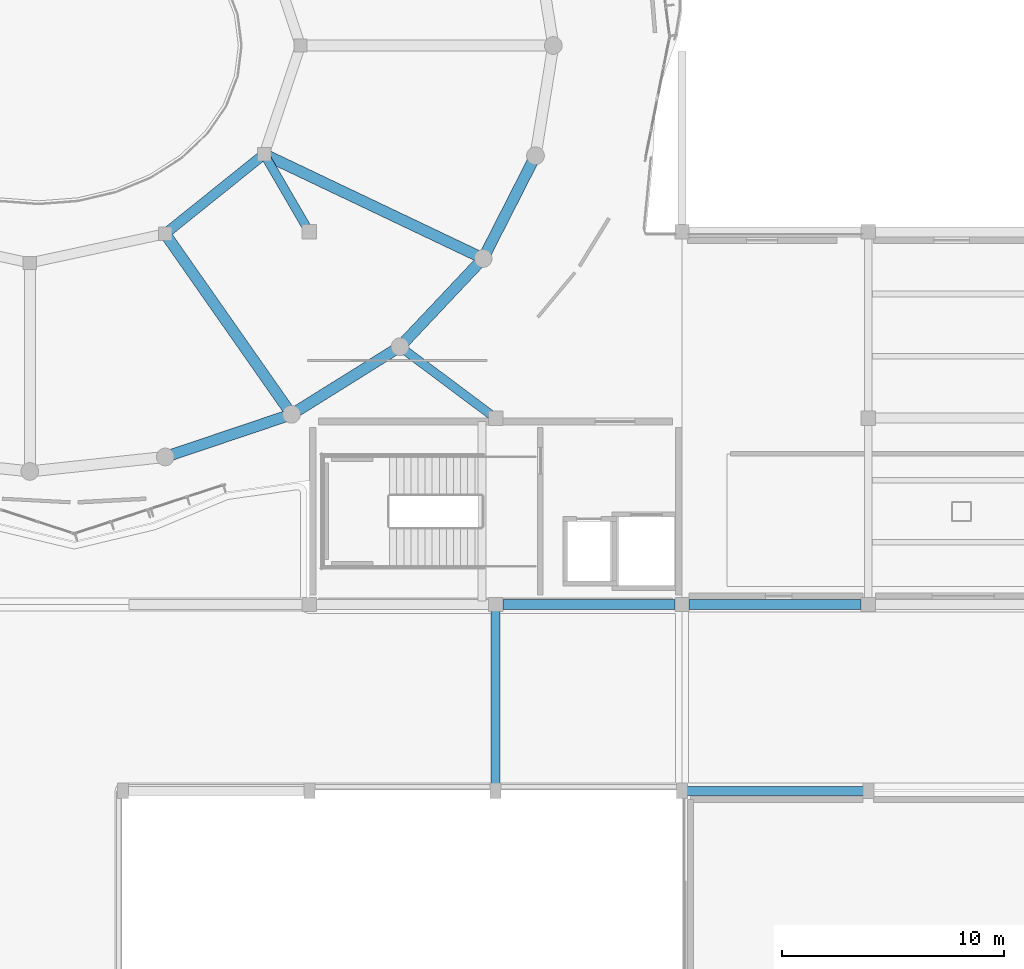
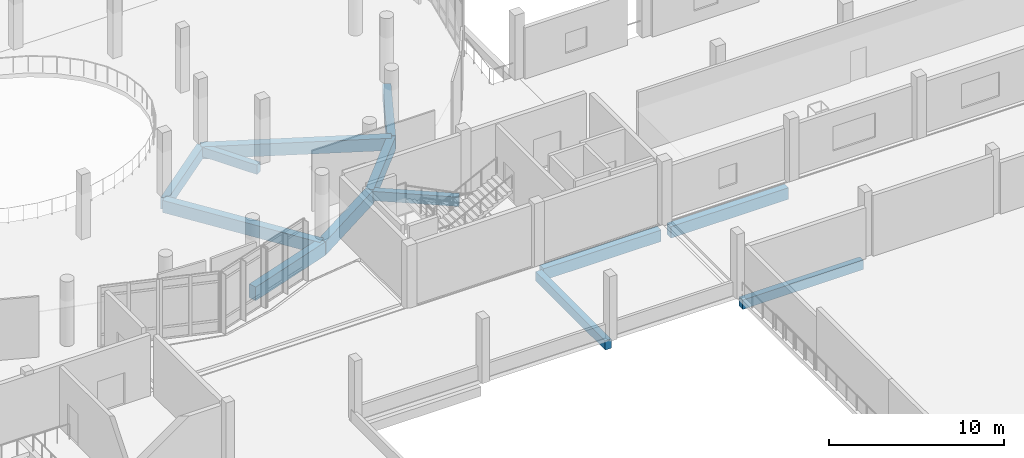
# One storey, part 7 of 46: 13 beams.
"""IFC4 building model written with IfcOpenShell, lengths in metres."""

import ifcopenshell
import ifcopenshell.guid

model = None  # the IFC model being written
_history = None  # IfcOwnerHistory: only IFC2X3 demands one
_inside = {}  # id of a spatial element -> (the spatial element, [elements in it])
_under = {}  # id of a project, library or spatial element -> (it, [spatial elements below it])
_declared = {}  # id of a project -> (the project, [libraries it declares])
_typed = {}  # id of a type object -> (the type object, [elements of that type])
_made_of = {}  # id of a material, layer set ... -> (it, [elements and type objects made of it])


def new_model(schema):
    """Start an empty IFC model of exactly this schema.

    Asked for "IFC4X3", IfcOpenShell would pick the latest addendum, in which some entities
    have other attributes; the version numbers below select the first issue.
    IFC2X3 requires an IfcOwnerHistory on every rooted entity: one is made here for all.
    """
    global model, _history
    if schema == "IFC4X3":
        model = ifcopenshell.file(schema_version=(4, 3, 0, 0))
    else:
        model = ifcopenshell.file(schema=schema)
    _inside.clear()
    _under.clear()
    _declared.clear()
    _typed.clear()
    _made_of.clear()
    _history = None
    if model.schema == "IFC2X3":
        org = make("IfcOrganization", Name="unknown")
        user = make(
            "IfcPersonAndOrganization",
            ThePerson=make("IfcPerson", FamilyName="unknown"),
            TheOrganization=org,
        )
        app = make(
            "IfcApplication",
            ApplicationDeveloper=org,
            Version="unknown",
            ApplicationFullName="unknown",
            ApplicationIdentifier="unknown",
        )
        _history = make(
            "IfcOwnerHistory",
            OwningUser=user,
            OwningApplication=app,
            ChangeAction="ADDED",
            CreationDate=0,
        )
    return model


def make(cls, **values):
    """One entity of the class cls with the attributes given. An attribute that is None is left unset."""
    return model.create_entity(
        cls, **{name: value for name, value in values.items() if value is not None}
    )


def rooted(cls, **values):
    """An entity with a GlobalId (a new one), such as an element, a storey or a relation."""
    return make(cls, GlobalId=ifcopenshell.guid.new(), OwnerHistory=_history, **values)


def si_unit(unit_type, name, prefix=None):
    """IfcSIUnit, for example si_unit("LENGTHUNIT", "METRE", prefix="MILLI")."""
    return make("IfcSIUnit", UnitType=unit_type, Prefix=prefix, Name=name)


def derived_unit(unit_type, elements):
    """IfcDerivedUnit: a product of units, each with its exponent."""
    return make(
        "IfcDerivedUnit",
        Elements=[
            make("IfcDerivedUnitElement", Unit=unit, Exponent=power)
            for unit, power in elements
        ],
        UnitType=unit_type,
    )


def assignment(units):
    """IfcUnitAssignment: the units of a project."""
    return None if units is None else make("IfcUnitAssignment", Units=units)


def point(xyz):
    """IfcCartesianPoint."""
    return None if xyz is None else make("IfcCartesianPoint", Coordinates=xyz)


def direction(xyz):
    """IfcDirection."""
    return None if xyz is None else make("IfcDirection", DirectionRatios=xyz)


def frame(location, z_axis=None, x_axis=None):
    """IfcAxis2Placement3D, a coordinate frame: its origin and axes. An axis left out is left unset."""
    return make(
        "IfcAxis2Placement3D",
        Location=point(location),
        Axis=direction(z_axis),
        RefDirection=direction(x_axis),
    )


def frame_2d(location, x_axis=None):
    """IfcAxis2Placement2D, a coordinate frame in the plane: its origin and x axis."""
    return make(
        "IfcAxis2Placement2D", Location=point(location), RefDirection=direction(x_axis)
    )


def origin():
    """The frame at (0, 0, 0) with its axes left unset."""
    return frame((0.0, 0.0, 0.0))


def origin_2d():
    """The frame at (0, 0) in the plane with its x axis left unset."""
    return frame_2d((0.0, 0.0))


def place(relative_to, where):
    """IfcLocalPlacement: puts the frame where relative to a parent placement (None: the world)."""
    return make(
        "IfcLocalPlacement", PlacementRelTo=relative_to, RelativePlacement=where
    )


def context(
    kind, dimensions, precision=None, world=None, true_north=None, identifier=None
):
    """IfcGeometricRepresentationContext, for example the 3D "Model" context."""
    return make(
        "IfcGeometricRepresentationContext",
        ContextIdentifier=identifier,
        ContextType=kind,
        CoordinateSpaceDimension=dimensions,
        Precision=precision,
        WorldCoordinateSystem=world,
        TrueNorth=true_north,
    )


def subcontext(parent, identifier, kind, view, scale=None):
    """IfcGeometricRepresentationSubContext, for example "Body" below "Model"."""
    return make(
        "IfcGeometricRepresentationSubContext",
        ContextIdentifier=identifier,
        ContextType=kind,
        ParentContext=parent,
        TargetScale=scale,
        TargetView=view,
    )


def project(units=None, contexts=None):
    """IfcProject with its units and contexts."""
    return rooted(
        "IfcProject",
        Name="project",
        RepresentationContexts=contexts,
        UnitsInContext=assignment(units),
    )


def spatial(cls, under=None, at=None, **own):
    """A site, building, storey or space (cls), placed at a placement, below another one or the project."""
    s = rooted(cls, ObjectPlacement=at, **own)
    if under is not None:
        _under.setdefault(under.id(), (under, []))[1].append(s)
    return s


def profile(cls, at=None, kind="AREA", **sizes):
    """A parametric profile (cls). Its sizes go by their IFC names, for example OverallWidth=200.0."""
    return make(cls, ProfileType=kind, Position=at, **sizes)


def rectangle(**sizes):
    """IfcRectangleProfileDef."""
    return profile("IfcRectangleProfileDef", **sizes)


def extrude(swept, where, along, depth):
    """IfcExtrudedAreaSolid: the profile swept, set in the frame where, extruded along a direction by depth."""
    return make(
        "IfcExtrudedAreaSolid",
        SweptArea=swept,
        Position=where,
        ExtrudedDirection=direction(along),
        Depth=depth,
    )


def shape(context_of_items, identifier, shape_type, items):
    """IfcShapeRepresentation: the items that make up one representation, for example the "Body"."""
    return make(
        "IfcShapeRepresentation",
        ContextOfItems=context_of_items,
        RepresentationIdentifier=identifier,
        RepresentationType=shape_type,
        Items=items,
    )


def material(Name=None, Category=None):
    """IfcMaterial."""
    return make("IfcMaterial", Name=Name, Category=Category)


def material_profile(
    of_material, cross_section, Name=None, Category=None, Priority=None
):
    """IfcMaterialProfile: a cross section and its material."""
    return make(
        "IfcMaterialProfile",
        Name=Name,
        Material=of_material,
        Profile=cross_section,
        Priority=Priority,
        Category=Category,
    )


def profile_set(profiles, Name=None, composite=None):
    """IfcMaterialProfileSet."""
    return make(
        "IfcMaterialProfileSet",
        Name=Name,
        MaterialProfiles=profiles,
        CompositeProfile=composite,
    )


def made_of(thing, what):
    """Note that an element or type object is made of a material, layer set ...; save() writes the relation."""
    if what is not None:
        _made_of.setdefault(what.id(), (what, []))[1].append(thing)
    return thing


def type_object(cls, material=None, **own):
    """A type object (cls), such as IfcWallType, which elements share."""
    return made_of(rooted(cls, **own), material)


def element(
    cls,
    number,
    at=None,
    inside=None,
    cuts=None,
    type_object=None,
    material=None,
    context=None,
    identifier="Body",
    shape_type=None,
    held_by="IfcProductDefinitionShape",
    body=None,
    shapes=None,
    **own,
):
    """One element of the class cls, such as IfcWall. Its Tag is "e" and its number.

    at: its placement. inside: the storey or other place that contains it. cuts: it is an
    opening in that element (IfcRelVoidsElement). A single representation is given by context,
    identifier, shape_type and body (its items); several are given by shapes. held_by: the class
    of the entity that holds the representations. save() writes the other relations.
    """
    e = rooted(cls, Tag="e%d" % number, ObjectPlacement=at, **own)
    if body is not None:
        shapes = [shape(context, identifier, shape_type, body)]
    if shapes is not None:
        e.Representation = make(held_by, Representations=shapes)
    if inside is not None:
        _inside.setdefault(inside.id(), (inside, []))[1].append(e)
    if cuts is not None:
        rooted(
            "IfcRelVoidsElement", RelatingBuildingElement=cuts, RelatedOpeningElement=e
        )
    if type_object is not None:
        _typed.setdefault(type_object.id(), (type_object, []))[1].append(e)
    return made_of(e, material)


def aggregate(whole, parts):
    """IfcRelAggregates: a whole, such as a stair, and the parts it consists of."""
    return rooted("IfcRelAggregates", RelatingObject=whole, RelatedObjects=parts)


def save(model, path):
    """Write the relations noted so far, then the file.

    IfcRelAggregates (storeys below a building ...), IfcRelContainedInSpatialStructure (elements
    in a storey), IfcRelDefinesByType, IfcRelAssociatesMaterial and IfcRelDeclares: one each for
    every whole, place, type object, material and project.
    """
    for whole, parts in _under.values():
        aggregate(whole, parts)
    for where, things in _inside.values():
        rooted(
            "IfcRelContainedInSpatialStructure",
            RelatedElements=things,
            RelatingStructure=where,
        )
    for kind, things in _typed.values():
        rooted("IfcRelDefinesByType", RelatedObjects=things, RelatingType=kind)
    for what, things in _made_of.values():
        rooted("IfcRelAssociatesMaterial", RelatedObjects=things, RelatingMaterial=what)
    for by, libraries in _declared.values():
        rooted("IfcRelDeclares", RelatingContext=by, RelatedDefinitions=libraries)
    model.write(path)


model = new_model("IFC4")

# Units and contexts
model_context = context("Model", 3, precision=1e-05, world=origin(), true_north=direction((0.0, 1.0)))
body_context = subcontext(model_context, "Body", "Model", "MODEL_VIEW")
ifc_project = project(units=[si_unit("LENGTHUNIT", "METRE"), si_unit("AREAUNIT", "SQUARE_METRE"), si_unit("VOLUMEUNIT", "CUBIC_METRE"), si_unit("PLANEANGLEUNIT", "RADIAN"), si_unit("MASSUNIT", "GRAM", prefix="KILO"), derived_unit("THERMALTRANSMITTANCEUNIT", [(si_unit("POWERUNIT", "WATT"), 1), (si_unit("LENGTHUNIT", "METRE"), -2), (si_unit("THERMODYNAMICTEMPERATUREUNIT", "KELVIN"), -1)])], contexts=[model_context])

# Site, building, storey
site_placement = place(None, origin())
site = spatial("IfcSite", under=ifc_project, at=site_placement, CompositionType="ELEMENT")
building_placement = place(site_placement, origin())
building = spatial("IfcBuilding", under=site, at=building_placement, Name="Elbkamm Science Centre", CompositionType="ELEMENT")
storey_placement = place(building_placement, frame((0.0, 0.0, 9.89990234375)))
storey = spatial("IfcBuildingStorey", under=building, at=storey_placement, Name="L02", CompositionType="ELEMENT", Elevation=9.89990234375)

# Beams
ifc_material = material(Name="Concrete C40/50", Category="concrete")
ifc_material_profile_1 = material_profile(ifc_material, rectangle(XDim=0.39990234375, YDim=0.64990234375, at=origin_2d()), Name="RC 400x650")
ifc_profile_set_1 = profile_set([ifc_material_profile_1], Name="Concrete C40/50")
beam_type_1 = type_object("IfcBeamType", Name="BM-RC-400x650", PredefinedType="BEAM", material=ifc_profile_set_1)
for number, where, z_axis, x_axis, name in (
    (1, (84.0, 33.820068359375, -0.625), (0.0, 1.0, 0.0), (-1.0, 0.0, 0.0), "L02 Perimeter Ring Tie Girder 036"),
    (2, (92.6201171875, 33.60009765625, -0.625), (1.0, 0.0, 0.0), (0.0, 1.0, 0.0), "L02 Perimeter Ring Tie Girder 038"),
):
    element("IfcBeam", number, at=place(storey_placement, frame(where, z_axis=z_axis, x_axis=x_axis)), inside=storey, type_object=beam_type_1, Name=name, PredefinedType="BEAM", context=body_context, shape_type="SweptSolid", body=[
        extrude(rectangle(XDim=0.39990234375, YDim=0.64990234375, at=origin_2d()), origin(), (0.0, 0.0, 1.0), 7.9599609375),
    ])
beam_1_placement = place(storey_placement, frame((75.489501953125, 58.990234375, -0.625), z_axis=(-0.502465212806, 0.864597426506, 0.0), x_axis=(-0.864597426506, -0.502465212806, 0.0)))
element("IfcBeam", 3, at=beam_1_placement, inside=storey, type_object=beam_type_1, Name="L02 Perimeter Ring Tie Girder 045", PredefinedType="BEAM", context=body_context, shape_type="SweptSolid", body=[
    extrude(rectangle(XDim=0.39990234375, YDim=0.64990234375, at=origin_2d()), origin(), (0.0, 0.0, 1.0), 3.608154296875),
])
beam_2_placement = place(storey_placement, frame((83.82373046875, 50.53173828125, -0.625), z_axis=(-0.80088801, 0.59881415768, 0.0), x_axis=(-0.59881415768, -0.80088801, 0.0)))
element("IfcBeam", 4, at=beam_2_placement, inside=storey, type_object=beam_type_1, Name="L02 Perimeter Ring Tie Girder 047", PredefinedType="BEAM", context=body_context, shape_type="SweptSolid", body=[
    extrude(rectangle(XDim=0.39990234375, YDim=0.64990234375, at=origin_2d()), origin(), (0.0, 0.0, 1.0), 4.94384765625),
])
ifc_material_profile_2 = material_profile(ifc_material, rectangle(XDim=0.449951171875, YDim=0.800048828125, at=origin_2d()), Name="RC 450x800")
ifc_profile_set_2 = profile_set([ifc_material_profile_2], Name="Concrete C40/50")
beam_type_2 = type_object("IfcBeamType", Name="BM-RC-450x800", PredefinedType="BEAM", material=ifc_profile_set_2)
for number, where, z_axis, x_axis, name in (
    (5, (84.324951171875, 42.0, -0.699951171875), (1.0, 0.0, 0.0), (0.0, 1.0, 0.0), "L02 Primary X-Girder 012"),
    (6, (92.72509765625, 42.0, -0.699951171875), (1.0, 0.0, 0.0), (0.0, 1.0, 0.0), "L02 Primary X-Girder 013"),
):
    element("IfcBeam", number, at=place(storey_placement, frame(where, z_axis=z_axis, x_axis=x_axis)), inside=storey, type_object=beam_type_2, Name=name, PredefinedType="BEAM", context=body_context, shape_type="SweptSolid", body=[
        extrude(rectangle(XDim=0.449951171875, YDim=0.800048828125, at=origin_2d()), origin(), (0.0, 0.0, 1.0), 7.75),
    ])
beam_3_placement = place(storey_placement, frame((69.10009765625, 58.712890625, -0.699951171875), z_axis=(0.779632299843, 0.626237556396, 0.0), x_axis=(-0.626237556396, 0.779632299843, 0.0)))
element("IfcBeam", 7, at=beam_3_placement, inside=storey, type_object=beam_type_2, Name="L02 Atrium Ring Girder 11", PredefinedType="BEAM", context=body_context, shape_type="SweptSolid", body=[
    extrude(rectangle(XDim=0.449951171875, YDim=0.800048828125, at=origin_2d()), origin(), (0.0, 0.0, 1.0), 5.72802734375),
])
ifc_material_profile_3 = material_profile(ifc_material, rectangle(XDim=0.5, YDim=0.85009765625, at=origin_2d()), Name="RC 500x850")
ifc_profile_set_3 = profile_set([ifc_material_profile_3], Name="Concrete C40/50")
beam_type_3 = type_object("IfcBeamType", Name="BM-RC-500x850", PredefinedType="BEAM", material=ifc_profile_set_3)
beam_4_placement = place(storey_placement, frame((69.10009765625, 58.712890625, -0.724853515625), z_axis=(0.573553022395, -0.819168438419, 0.0), x_axis=(0.819168438419, 0.573553022395, 0.0)))
element("IfcBeam", 8, at=beam_4_placement, inside=storey, type_object=beam_type_3, Name="L02 Elliptical Radial Girder 11", PredefinedType="BEAM", context=body_context, shape_type="SweptSolid", body=[
    extrude(rectangle(XDim=0.5, YDim=0.85009765625, at=origin_2d()), origin(), (0.0, 0.0, 1.0), 9.93798828125),
])
beam_5_placement = place(storey_placement, frame((73.56591796875, 62.300048828125, -0.724853515625), z_axis=(0.902897249077, -0.429856438371, 0.0), x_axis=(0.429856438371, 0.902897249077, 0.0)))
element("IfcBeam", 9, at=beam_5_placement, inside=storey, type_object=beam_type_3, Name="L02 Elliptical Radial Girder 12", PredefinedType="BEAM", context=body_context, shape_type="SweptSolid", body=[
    extrude(rectangle(XDim=0.5, YDim=0.85009765625, at=origin_2d()), origin(), (0.0, 0.0, 1.0), 10.933837890625),
])
ifc_material_profile_4 = material_profile(ifc_material, rectangle(XDim=0.5, YDim=0.949951171875, at=origin_2d()), Name="RC 500x950")
ifc_profile_set_4 = profile_set([ifc_material_profile_4], Name="Concrete C40/50")
beam_type_4 = type_object("IfcBeamType", Name="BM-RC-500x950", PredefinedType="BEAM", material=ifc_profile_set_4)
beam_6_placement = place(storey_placement, frame((69.10791015625, 48.654052734375, -0.77490234375), z_axis=(0.947649950761, 0.319311087848, 0.0), x_axis=(-0.319311087848, 0.947649950761, 0.0)))
element("IfcBeam", 10, at=beam_6_placement, inside=storey, type_object=beam_type_4, Name="L02 Elliptical Shell Perimeter Ring Beam 20", PredefinedType="SPANDREL", context=body_context, shape_type="SweptSolid", body=[
    extrude(rectangle(XDim=0.5, YDim=0.949951171875, at=origin_2d()), origin(), (0.0, 0.0, 1.0), 6.006591796875),
])
beam_7_placement = place(storey_placement, frame((74.800048828125, 50.572021484375, -0.77490234375), z_axis=(0.848229099729, 0.529629487824, 0.0), x_axis=(-0.529629487824, 0.848229099729, 0.0)))
element("IfcBeam", 11, at=beam_7_placement, inside=storey, type_object=beam_type_4, Name="L02 Elliptical Shell Perimeter Ring Beam 21", PredefinedType="SPANDREL", context=body_context, shape_type="SweptSolid", body=[
    extrude(rectangle(XDim=0.5, YDim=0.949951171875, at=origin_2d()), origin(), (0.0, 0.0, 1.0), 5.762451171875),
])
beam_8_placement = place(storey_placement, frame((79.68798828125, 53.6240234375, -0.77490234375), z_axis=(0.686122314522, 0.727486198848, 0.0), x_axis=(-0.727486198848, 0.686122314522, 0.0)))
element("IfcBeam", 12, at=beam_8_placement, inside=storey, type_object=beam_type_4, Name="L02 Elliptical Shell Perimeter Ring Beam 22", PredefinedType="SPANDREL", context=body_context, shape_type="SweptSolid", body=[
    extrude(rectangle(XDim=0.5, YDim=0.949951171875, at=origin_2d()), origin(), (0.0, 0.0, 1.0), 5.465576171875),
])
beam_9_placement = place(storey_placement, frame((83.43798828125, 57.60009765625, -0.77490234375), z_axis=(0.45374138036, 0.891133412991, 0.0), x_axis=(-0.891133412991, 0.45374138036, 0.0)))
element("IfcBeam", 13, at=beam_9_placement, inside=storey, type_object=beam_type_4, Name="L02 Elliptical Shell Perimeter Ring Beam 23", PredefinedType="SPANDREL", context=body_context, shape_type="SweptSolid", body=[
    extrude(rectangle(XDim=0.5, YDim=0.949951171875, at=origin_2d()), origin(), (0.0, 0.0, 1.0), 5.196533203125),
])

save(model, "model.ifc")
